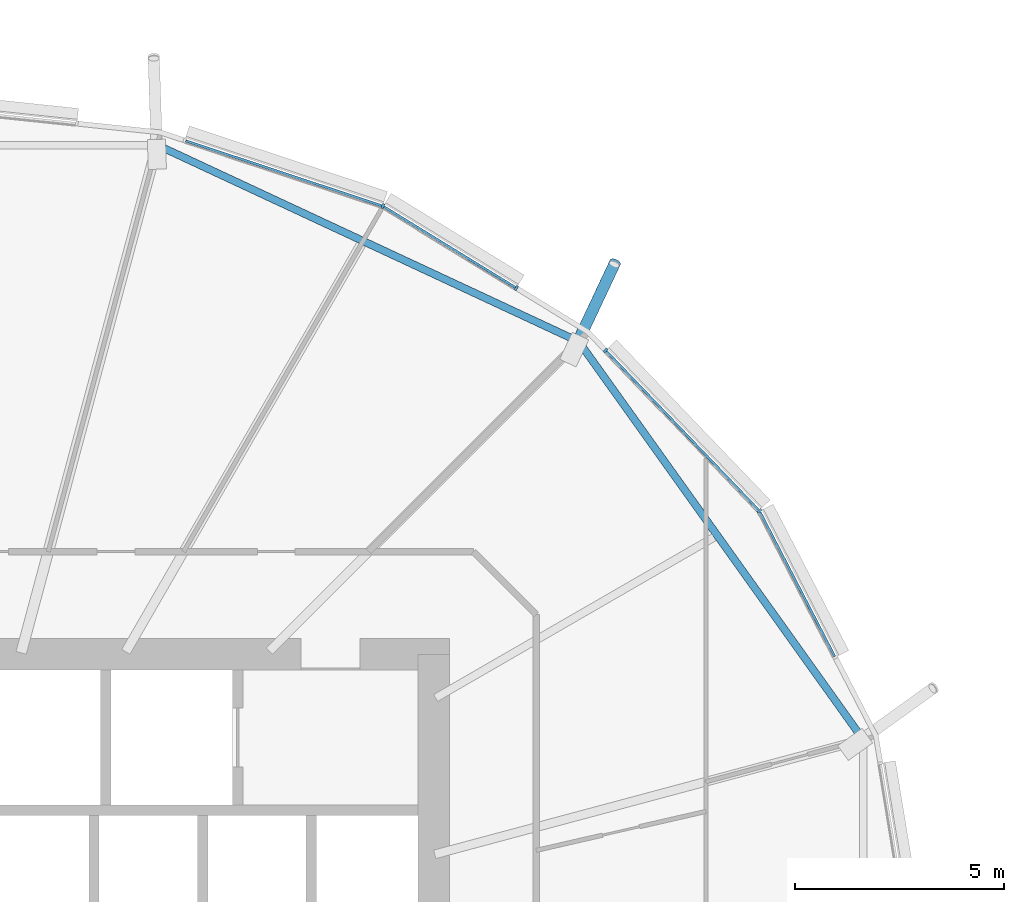
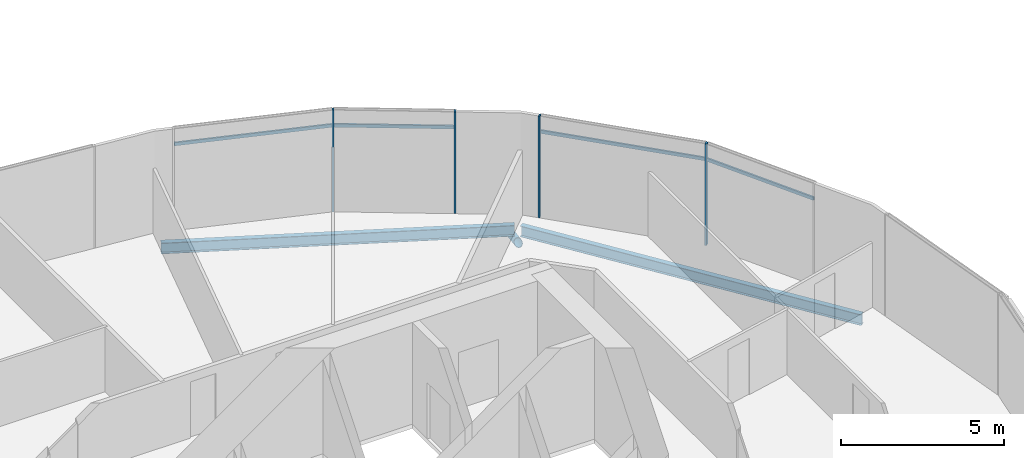
# One storey, part 10 of 39: 9 members, 2 beams, 1 element without a shape of its own.
"""IFC4 building model written with IfcOpenShell, lengths in metres."""

from ifc_helpers import new_model, si_unit, direction, frame, origin, origin_2d, place, context, subcontext, project, spatial, rectangle, hollow_circle, i_section, extrude, clip, halfspace, material, material_profile, profile_set, type_object, element, aggregate, save


model = new_model("IFC4")

# Units and contexts
model_context = context("Model", 3, precision=1e-05, world=origin(), true_north=direction((0.0, 1.0)))
body_context = subcontext(model_context, "Body", "Model", "MODEL_VIEW")
ifc_project = project(units=[si_unit("LENGTHUNIT", "METRE"), si_unit("AREAUNIT", "SQUARE_METRE"), si_unit("VOLUMEUNIT", "CUBIC_METRE"), si_unit("PLANEANGLEUNIT", "RADIAN"), si_unit("MASSUNIT", "GRAM", prefix="KILO")], contexts=[model_context])

# Site, building, storey
site_placement = place(None, origin())
site = spatial("IfcSite", under=ifc_project, at=site_placement, CompositionType="ELEMENT")
building_placement = place(site_placement, origin())
building = spatial("IfcBuilding", under=site, at=building_placement, Name="Rimbun Link Towers", CompositionType="ELEMENT")
storey_placement = place(building_placement, frame((0.0, 0.0, 96.800048828125)))
storey = spatial("IfcBuildingStorey", under=building, at=storey_placement, Name="L23", CompositionType="ELEMENT", Elevation=96.800048828125)

# Curtain wall, members
ifc_material_1 = material(Name="Aluminium 6063-T6 and low-iron glass", Category="aluminium")
curtain_wall_type = type_object("IfcCurtainWallType", Name="CW1-Z2 unitised vision wall (zone 2)", PredefinedType="NOTDEFINED", material=ifc_material_1)
curtain_wall_placement = place(storey_placement, origin())
curtain_wall = element("IfcCurtainWall", 1, at=curtain_wall_placement, inside=storey, type_object=curtain_wall_type, Name="CW1 L23 T1", PredefinedType="NOTDEFINED")
ifc_material_2 = material(Name="Aluminium 6063-T6", Category="aluminium")
ifc_material_profile_1 = material_profile(ifc_material_2, rectangle(XDim=0.1201171875, YDim=0.06005859375, at=origin_2d()), Name="MULLION 60X120")
ifc_profile_set_1 = profile_set([ifc_material_profile_1], Name="Aluminium 6063-T6")
member_type_1 = type_object("IfcMemberType", Name="CW1 mullion 60X120", PredefinedType="MULLION", material=ifc_profile_set_1)
member_1_placement = place(storey_placement, frame((-11.972412109375, 11.42529296875, 0.0), z_axis=(0.0, 0.0, 1.0), x_axis=(0.813351214919, 0.581772980801, 0.0)))
member_1 = element("IfcMember", 2, at=member_1_placement, type_object=member_type_1, Name="CW1 mullion", PredefinedType="MULLION", context=body_context, shape_type="SweptSolid", body=[
    extrude(rectangle(XDim=0.1201171875, YDim=0.06005859375, at=origin_2d()), origin(), (0.0, 0.0, 1.0), 3.800048828125),
])
member_2_placement = place(storey_placement, frame((-15.643798828125, 15.256103515625, 0.0), z_axis=(0.0, 0.0, 1.0), x_axis=(0.721854427226, 0.692044930546, 0.0)))
member_2 = element("IfcMember", 3, at=member_2_placement, type_object=member_type_1, Name="CW1 mullion", PredefinedType="MULLION", context=body_context, shape_type="SweptSolid", body=[
    extrude(rectangle(XDim=0.1201171875, YDim=0.06005859375, at=origin_2d()), origin(), (0.0, 0.0, 1.0), 3.800048828125),
])
member_3_placement = place(storey_placement, frame((-20.959716796875, 18.699951171875, 0.0), z_axis=(0.0, 0.0, 1.0), x_axis=(0.421698890318, 0.906735929532, 0.0)))
member_3 = element("IfcMember", 4, at=member_3_placement, type_object=member_type_1, Name="CW1 mullion", PredefinedType="MULLION", context=body_context, shape_type="SweptSolid", body=[
    extrude(rectangle(XDim=0.1201171875, YDim=0.06005859375, at=origin_2d()), origin(), (0.0, 0.0, 1.0), 3.800048828125),
])
member_4_placement = place(storey_placement, frame((-17.775390625, 16.7451171875, 0.0), z_axis=(0.0, 0.0, 1.0), x_axis=(0.523239240316, 0.852185835011, 0.0)))
member_4 = element("IfcMember", 5, at=member_4_placement, type_object=member_type_1, Name="CW1 mullion", PredefinedType="MULLION", context=body_context, shape_type="SweptSolid", body=[
    extrude(rectangle(XDim=0.1201171875, YDim=0.06005859375, at=origin_2d()), origin(), (0.0, 0.0, 1.0), 3.800048828125),
])
ifc_material_3 = material(Name="Aluminium 6063-T6", Category="aluminium")
ifc_material_profile_2 = material_profile(ifc_material_3, rectangle(XDim=0.06005859375, YDim=0.1201171875, at=origin_2d()), Name="TRANSOM 60X120")
ifc_profile_set_2 = profile_set([ifc_material_profile_2], Name="Aluminium 6063-T6")
member_type_2 = type_object("IfcMemberType", Name="CW1 transom 60X120", PredefinedType="USERDEFINED", material=ifc_profile_set_2)
member_5_placement = place(storey_placement, frame((-11.955810546875, 11.390625, 3.199951171875), z_axis=(0.459541145286, -0.888156481589, 0.0), x_axis=(0.888156481589, 0.459541145286, 0.0)))
member_5 = element("IfcMember", 6, at=member_5_placement, type_object=member_type_2, Name="CW1 transom", ObjectType="TRANSOM", PredefinedType="USERDEFINED", context=body_context, shape_type="SweptSolid", body=[
    extrude(rectangle(XDim=0.06005859375, YDim=0.1201171875, at=origin_2d()), origin(), (0.0, 0.0, 1.0), 3.876220703125),
])
member_6_placement = place(storey_placement, frame((-15.62451171875, 15.23291015625, 3.199951171875), z_axis=(0.692056205714, -0.721843617505, 0.0), x_axis=(0.721843617505, 0.692056205714, 0.0)))
member_6 = element("IfcMember", 7, at=member_6_placement, type_object=member_type_2, Name="CW1 transom", ObjectType="TRANSOM", PredefinedType="USERDEFINED", context=body_context, shape_type="SweptSolid", body=[
    extrude(rectangle(XDim=0.06005859375, YDim=0.1201171875, at=origin_2d()), origin(), (0.0, 0.0, 1.0), 5.2373046875),
])
member_7_placement = place(storey_placement, frame((-20.92919921875, 18.67919921875, 3.199951171875), z_axis=(0.85220609578, -0.523206240707, 0.0), x_axis=(0.523206240707, 0.85220609578, 0.0)))
member_7 = element("IfcMember", 8, at=member_7_placement, type_object=member_type_2, Name="CW1 transom", ObjectType="TRANSOM", PredefinedType="USERDEFINED", context=body_context, shape_type="SweptSolid", body=[
    extrude(rectangle(XDim=0.06005859375, YDim=0.1201171875, at=origin_2d()), origin(), (0.0, 0.0, 1.0), 3.66943359375),
])
member_8_placement = place(storey_placement, frame((-25.667236328125, 20.25830078125, 3.199951171875), z_axis=(0.949232441731, -0.314575541906, 0.0), x_axis=(0.314575541906, 0.949232441731, 0.0)))
member_8 = element("IfcMember", 9, at=member_8_placement, type_object=member_type_2, Name="CW1 transom", ObjectType="TRANSOM", PredefinedType="USERDEFINED", context=body_context, shape_type="SweptSolid", body=[
    extrude(rectangle(XDim=0.06005859375, YDim=0.1201171875, at=origin_2d()), origin(), (0.0, 0.0, 1.0), 4.921875),
])
aggregate(curtain_wall, [member_1, member_2, member_3, member_4, member_5, member_6, member_7, member_8])

# Member
ifc_material_4 = material(Name="Steel S355J2H", Category="steel")
ifc_material_profile_3 = material_profile(ifc_material_4, hollow_circle(Radius=0.136474609375, WallThickness=0.012451171875, at=origin_2d()), Name="CHS 273x12.5")
ifc_profile_set_3 = profile_set([ifc_material_profile_3], Name="Steel S355J2H")
member_type_3 = type_object("IfcMemberType", Name="Floor edge link CHS 273x12.5", PredefinedType="BRACE", material=ifc_profile_set_3)
member_9_placement = place(storey_placement, frame((-16.319580078125, 15.430419921875, -0.811279296875), z_axis=(0.369506350834, 0.786370004575, -0.495062897617), x_axis=(-0.905062489084, 0.425278603803, 0.0)))
element("IfcMember", 10, at=member_9_placement, inside=storey, type_object=member_type_3, Name="Floor edge link T1 L23 03", PredefinedType="BRACE", context=body_context, shape_type="Clipping", body=[
    clip(extrude(hollow_circle(Radius=0.136474609375, WallThickness=0.012451171875, at=origin_2d()), frame((0.0, 0.0, -0.499267578125)), (0.0, 0.0, 1.0), 2.953125), halfspace(frame((0.0, 0.0, -0.234619140625), z_axis=(0.0, 0.868857138661, -0.495062897617)), False)),
])

# Beams
ifc_material_5 = material(Name="Steel S355J2", Category="steel")
ifc_material_profile_4 = material_profile(ifc_material_5, i_section(OverallWidth=0.177978515625, OverallDepth=0.406494140625, WebThickness=0.0078125, FlangeThickness=0.0126953125, at=origin_2d()), Name="UB 406x178x60")
ifc_profile_set_4 = profile_set([ifc_material_profile_4], Name="Steel S355J2")
beam_type = type_object("IfcBeamType", Name="UB 406x178x60", PredefinedType="BEAM", material=ifc_profile_set_4)
beam_1_placement = place(storey_placement, frame((-9.56005859375, 6.05517578125, -0.36328125), z_axis=(-0.581367171952, 0.813641328459, 0.0), x_axis=(-0.813641328459, -0.581367171952, 0.0)))
element("IfcBeam", 11, at=beam_1_placement, inside=storey, type_object=beam_type, Name="Edge beam T1 L23 01-03", PredefinedType="BEAM", context=body_context, shape_type="SweptSolid", body=[
    extrude(i_section(OverallWidth=0.177978515625, OverallDepth=0.406494140625, WebThickness=0.0078125, FlangeThickness=0.0126953125, at=origin_2d()), origin(), (0.0, 0.0, 1.0), 11.458984375),
])
beam_2_placement = place(storey_placement, frame((-16.385986328125, 15.51318359375, -0.36328125), z_axis=(-0.906379422837, 0.422464604266, 0.0), x_axis=(-0.422464604266, -0.906379422837, 0.0)))
element("IfcBeam", 12, at=beam_2_placement, inside=storey, type_object=beam_type, Name="Edge beam T1 L23 03-05", PredefinedType="BEAM", context=body_context, shape_type="SweptSolid", body=[
    extrude(i_section(OverallWidth=0.177978515625, OverallDepth=0.406494140625, WebThickness=0.0078125, FlangeThickness=0.0126953125, at=origin_2d()), origin(), (0.0, 0.0, 1.0), 10.862060546875),
])

save(model, "model.ifc")
